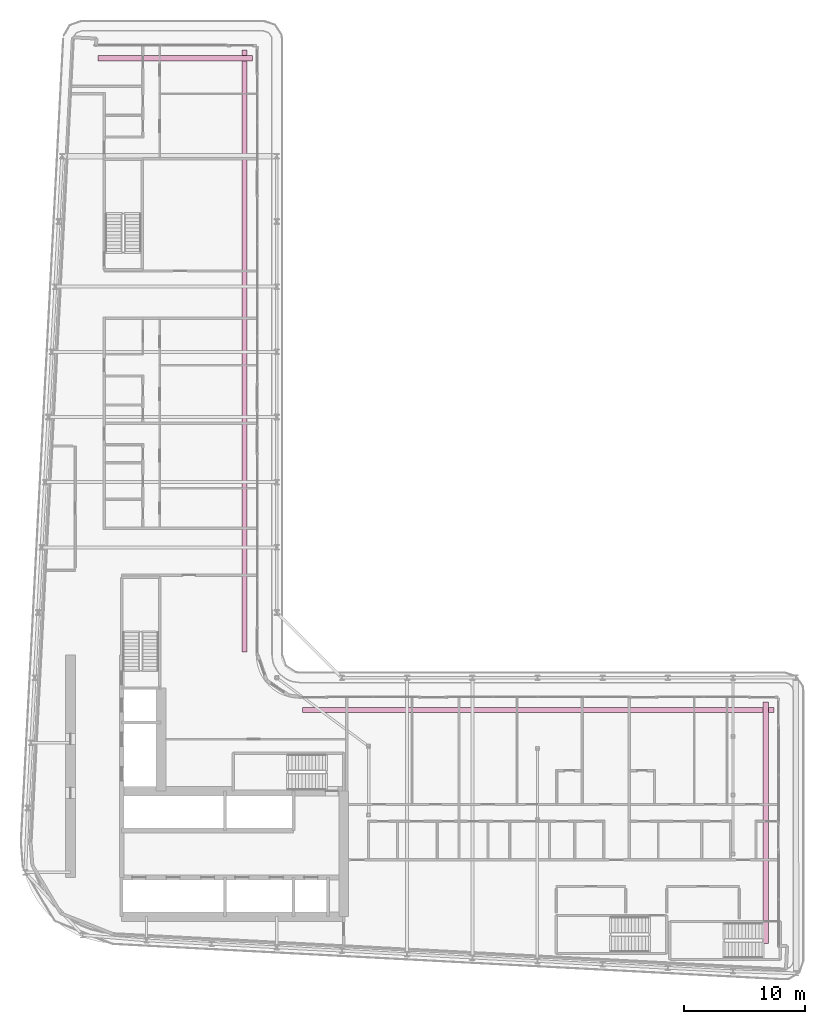
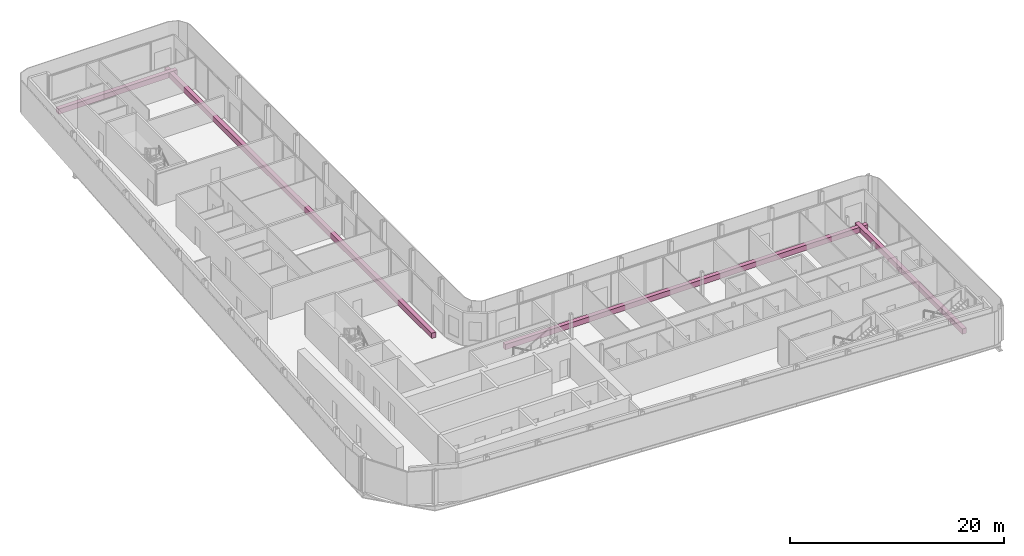
# One storey, part 26 of 26: 4 furniture elements.
"""IFC4 building model written with IfcOpenShell, lengths in metres."""

from ifc_helpers import new_model, si_unit, direction, frame, origin, origin_2d, place, context, subcontext, project, spatial, rectangle, extrude, material, type_object, element, save


model = new_model("IFC4")

# Units and contexts
model_context = context("Model", 3, precision=1e-05, world=origin(), true_north=direction((0.0, 1.0)))
body_context = subcontext(model_context, "Body", "Model", "MODEL_VIEW")
ifc_project = project(units=[si_unit("LENGTHUNIT", "METRE"), si_unit("AREAUNIT", "SQUARE_METRE"), si_unit("VOLUMEUNIT", "CUBIC_METRE"), si_unit("PLANEANGLEUNIT", "RADIAN"), si_unit("MASSUNIT", "GRAM", prefix="KILO")], contexts=[model_context])

# Site, building, storey
site_placement = place(None, origin())
site = spatial("IfcSite", under=ifc_project, at=site_placement, CompositionType="ELEMENT")
building_placement = place(site_placement, origin())
building = spatial("IfcBuilding", under=site, at=building_placement, Name="Kheshtan School and Residences Tower", CompositionType="ELEMENT")
storey_placement = place(building_placement, frame((0.0, 0.0, 156.5)))
storey = spatial("IfcBuildingStorey", under=building, at=storey_placement, Name="L36", CompositionType="ELEMENT", Elevation=156.5)

# Furniture
ifc_material = material(Name="Precast concrete C30/37 in terracotta finish", Category="masonry")
furniture_type = type_object("IfcFurnitureType", Name="Planter trough", AssemblyPlace="NOTDEFINED", PredefinedType="USERDEFINED", material=ifc_material)
furniture_1_placement = place(storey_placement, frame((39.196044921875, 96.925048828125, 0.0), z_axis=(0.0, 0.0, 1.0), x_axis=(1.0, 0.0, 0.0)))
element("IfcFurniture", 1, at=furniture_1_placement, inside=storey, type_object=furniture_type, Name="Planter L36", ObjectType="PLANTER", PredefinedType="USERDEFINED", context=body_context, shape_type="SweptSolid", body=[
    extrude(rectangle(XDim=12.80810546875, YDim=0.449951171875, at=origin_2d()), origin(), (0.0, 0.0, 1.0), 0.60009765625),
])
furniture_2_placement = place(storey_placement, frame((44.925048828125, 72.6650390625, 0.0), z_axis=(0.0, 0.0, 1.0), x_axis=(0.0, -1.0, 0.0)))
element("IfcFurniture", 2, at=furniture_2_placement, inside=storey, type_object=furniture_type, Name="Planter L36", ObjectType="PLANTER", PredefinedType="USERDEFINED", context=body_context, shape_type="SweptSolid", body=[
    extrude(rectangle(XDim=49.8701171875, YDim=0.449951171875, at=origin_2d()), origin(), (0.0, 0.0, 1.0), 0.60009765625),
])
furniture_3_placement = place(storey_placement, frame((69.264892578125, 42.925048828125, 0.0), z_axis=(0.0, 0.0, 1.0), x_axis=(1.0, 0.0, 0.0)))
element("IfcFurniture", 3, at=furniture_3_placement, inside=storey, type_object=furniture_type, Name="Planter L36", ObjectType="PLANTER", PredefinedType="USERDEFINED", context=body_context, shape_type="SweptSolid", body=[
    extrude(rectangle(XDim=39.070068359375, YDim=0.449951171875, at=origin_2d()), origin(), (0.0, 0.0, 1.0), 0.60009765625),
])
furniture_4_placement = place(storey_placement, frame((88.125, 33.591064453125, 0.0), z_axis=(0.0, 0.0, 1.0), x_axis=(0.0, -1.0, 0.0)))
element("IfcFurniture", 4, at=furniture_4_placement, inside=storey, type_object=furniture_type, Name="Planter L36", ObjectType="PLANTER", PredefinedType="USERDEFINED", context=body_context, shape_type="SweptSolid", body=[
    extrude(rectangle(XDim=20.01708984375, YDim=0.449951171875, at=origin_2d()), origin(), (0.0, 0.0, 1.0), 0.60009765625),
])

save(model, "model.ifc")
